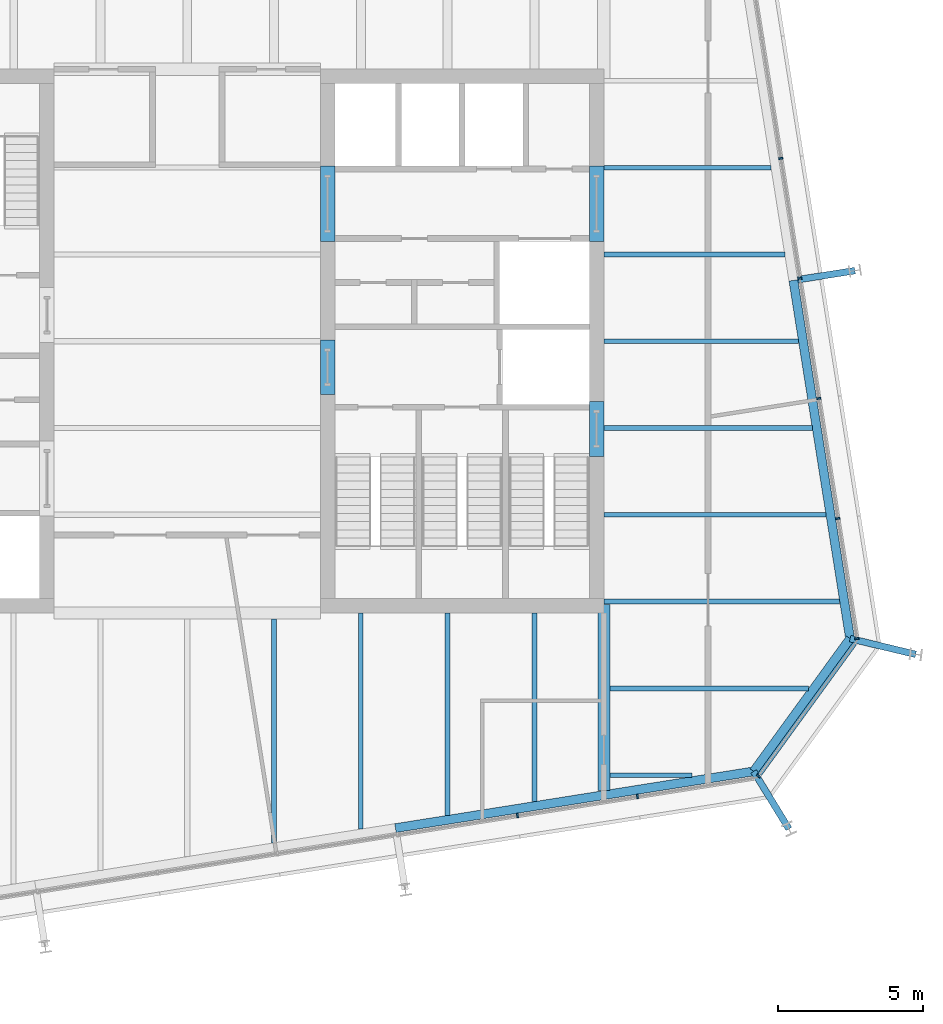
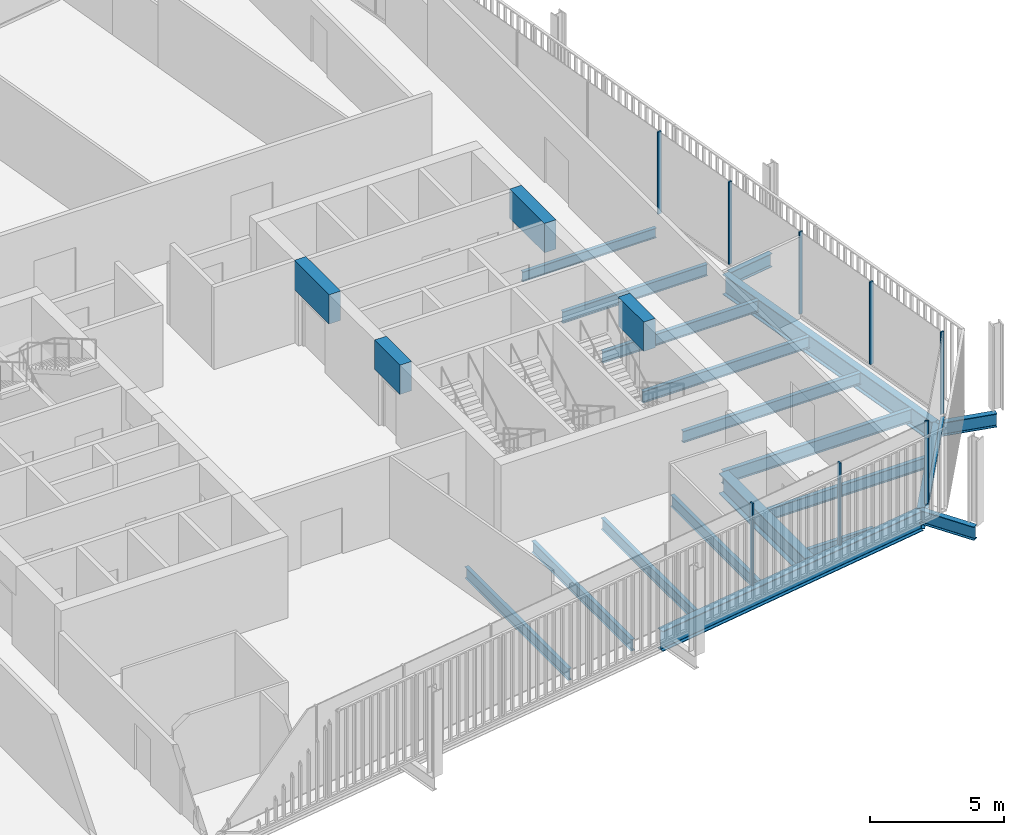
# One storey, part 8 of 20: 23 beams, 9 members, 3 elements without a shape of their own.
"""IFC4 building model written with IfcOpenShell, lengths in metres."""

import ifcopenshell
import ifcopenshell.guid

model = None  # the IFC model being written
_history = None  # IfcOwnerHistory: only IFC2X3 demands one
_inside = {}  # id of a spatial element -> (the spatial element, [elements in it])
_under = {}  # id of a project, library or spatial element -> (it, [spatial elements below it])
_declared = {}  # id of a project -> (the project, [libraries it declares])
_typed = {}  # id of a type object -> (the type object, [elements of that type])
_made_of = {}  # id of a material, layer set ... -> (it, [elements and type objects made of it])


def new_model(schema):
    """Start an empty IFC model of exactly this schema.

    Asked for "IFC4X3", IfcOpenShell would pick the latest addendum, in which some entities
    have other attributes; the version numbers below select the first issue.
    IFC2X3 requires an IfcOwnerHistory on every rooted entity: one is made here for all.
    """
    global model, _history
    if schema == "IFC4X3":
        model = ifcopenshell.file(schema_version=(4, 3, 0, 0))
    else:
        model = ifcopenshell.file(schema=schema)
    _inside.clear()
    _under.clear()
    _declared.clear()
    _typed.clear()
    _made_of.clear()
    _history = None
    if model.schema == "IFC2X3":
        org = make("IfcOrganization", Name="unknown")
        user = make(
            "IfcPersonAndOrganization",
            ThePerson=make("IfcPerson", FamilyName="unknown"),
            TheOrganization=org,
        )
        app = make(
            "IfcApplication",
            ApplicationDeveloper=org,
            Version="unknown",
            ApplicationFullName="unknown",
            ApplicationIdentifier="unknown",
        )
        _history = make(
            "IfcOwnerHistory",
            OwningUser=user,
            OwningApplication=app,
            ChangeAction="ADDED",
            CreationDate=0,
        )
    return model


def make(cls, **values):
    """One entity of the class cls with the attributes given. An attribute that is None is left unset."""
    return model.create_entity(
        cls, **{name: value for name, value in values.items() if value is not None}
    )


def rooted(cls, **values):
    """An entity with a GlobalId (a new one), such as an element, a storey or a relation."""
    return make(cls, GlobalId=ifcopenshell.guid.new(), OwnerHistory=_history, **values)


def si_unit(unit_type, name, prefix=None):
    """IfcSIUnit, for example si_unit("LENGTHUNIT", "METRE", prefix="MILLI")."""
    return make("IfcSIUnit", UnitType=unit_type, Prefix=prefix, Name=name)


def assignment(units):
    """IfcUnitAssignment: the units of a project."""
    return None if units is None else make("IfcUnitAssignment", Units=units)


def point(xyz):
    """IfcCartesianPoint."""
    return None if xyz is None else make("IfcCartesianPoint", Coordinates=xyz)


def direction(xyz):
    """IfcDirection."""
    return None if xyz is None else make("IfcDirection", DirectionRatios=xyz)


def frame(location, z_axis=None, x_axis=None):
    """IfcAxis2Placement3D, a coordinate frame: its origin and axes. An axis left out is left unset."""
    return make(
        "IfcAxis2Placement3D",
        Location=point(location),
        Axis=direction(z_axis),
        RefDirection=direction(x_axis),
    )


def frame_2d(location, x_axis=None):
    """IfcAxis2Placement2D, a coordinate frame in the plane: its origin and x axis."""
    return make(
        "IfcAxis2Placement2D", Location=point(location), RefDirection=direction(x_axis)
    )


def origin():
    """The frame at (0, 0, 0) with its axes left unset."""
    return frame((0.0, 0.0, 0.0))


def origin_2d():
    """The frame at (0, 0) in the plane with its x axis left unset."""
    return frame_2d((0.0, 0.0))


def place(relative_to, where):
    """IfcLocalPlacement: puts the frame where relative to a parent placement (None: the world)."""
    return make(
        "IfcLocalPlacement", PlacementRelTo=relative_to, RelativePlacement=where
    )


def context(
    kind, dimensions, precision=None, world=None, true_north=None, identifier=None
):
    """IfcGeometricRepresentationContext, for example the 3D "Model" context."""
    return make(
        "IfcGeometricRepresentationContext",
        ContextIdentifier=identifier,
        ContextType=kind,
        CoordinateSpaceDimension=dimensions,
        Precision=precision,
        WorldCoordinateSystem=world,
        TrueNorth=true_north,
    )


def subcontext(parent, identifier, kind, view, scale=None):
    """IfcGeometricRepresentationSubContext, for example "Body" below "Model"."""
    return make(
        "IfcGeometricRepresentationSubContext",
        ContextIdentifier=identifier,
        ContextType=kind,
        ParentContext=parent,
        TargetScale=scale,
        TargetView=view,
    )


def project(units=None, contexts=None):
    """IfcProject with its units and contexts."""
    return rooted(
        "IfcProject",
        Name="project",
        RepresentationContexts=contexts,
        UnitsInContext=assignment(units),
    )


def spatial(cls, under=None, at=None, **own):
    """A site, building, storey or space (cls), placed at a placement, below another one or the project."""
    s = rooted(cls, ObjectPlacement=at, **own)
    if under is not None:
        _under.setdefault(under.id(), (under, []))[1].append(s)
    return s


def profile(cls, at=None, kind="AREA", **sizes):
    """A parametric profile (cls). Its sizes go by their IFC names, for example OverallWidth=200.0."""
    return make(cls, ProfileType=kind, Position=at, **sizes)


def rectangle(**sizes):
    """IfcRectangleProfileDef."""
    return profile("IfcRectangleProfileDef", **sizes)


def i_section(**sizes):
    """IfcIShapeProfileDef."""
    return profile("IfcIShapeProfileDef", **sizes)


def extrude(swept, where, along, depth):
    """IfcExtrudedAreaSolid: the profile swept, set in the frame where, extruded along a direction by depth."""
    return make(
        "IfcExtrudedAreaSolid",
        SweptArea=swept,
        Position=where,
        ExtrudedDirection=direction(along),
        Depth=depth,
    )


def shape(context_of_items, identifier, shape_type, items):
    """IfcShapeRepresentation: the items that make up one representation, for example the "Body"."""
    return make(
        "IfcShapeRepresentation",
        ContextOfItems=context_of_items,
        RepresentationIdentifier=identifier,
        RepresentationType=shape_type,
        Items=items,
    )


def material(Name=None, Category=None):
    """IfcMaterial."""
    return make("IfcMaterial", Name=Name, Category=Category)


def layer(
    of_material, thickness, ventilated=None, Name=None, Category=None, Priority=None
):
    """IfcMaterialLayer: one layer of a wall or slab, of a material (None: an air gap)."""
    return make(
        "IfcMaterialLayer",
        Material=of_material,
        LayerThickness=thickness,
        IsVentilated=ventilated,
        Name=Name,
        Category=Category,
        Priority=Priority,
    )


def layer_set(layers, Name=None):
    """IfcMaterialLayerSet."""
    return make("IfcMaterialLayerSet", MaterialLayers=layers, LayerSetName=Name)


def material_profile(
    of_material, cross_section, Name=None, Category=None, Priority=None
):
    """IfcMaterialProfile: a cross section and its material."""
    return make(
        "IfcMaterialProfile",
        Name=Name,
        Material=of_material,
        Profile=cross_section,
        Priority=Priority,
        Category=Category,
    )


def profile_set(profiles, Name=None, composite=None):
    """IfcMaterialProfileSet."""
    return make(
        "IfcMaterialProfileSet",
        Name=Name,
        MaterialProfiles=profiles,
        CompositeProfile=composite,
    )


def made_of(thing, what):
    """Note that an element or type object is made of a material, layer set ...; save() writes the relation."""
    if what is not None:
        _made_of.setdefault(what.id(), (what, []))[1].append(thing)
    return thing


def type_object(cls, material=None, **own):
    """A type object (cls), such as IfcWallType, which elements share."""
    return made_of(rooted(cls, **own), material)


def element(
    cls,
    number,
    at=None,
    inside=None,
    cuts=None,
    type_object=None,
    material=None,
    context=None,
    identifier="Body",
    shape_type=None,
    held_by="IfcProductDefinitionShape",
    body=None,
    shapes=None,
    **own,
):
    """One element of the class cls, such as IfcWall. Its Tag is "e" and its number.

    at: its placement. inside: the storey or other place that contains it. cuts: it is an
    opening in that element (IfcRelVoidsElement). A single representation is given by context,
    identifier, shape_type and body (its items); several are given by shapes. held_by: the class
    of the entity that holds the representations. save() writes the other relations.
    """
    e = rooted(cls, Tag="e%d" % number, ObjectPlacement=at, **own)
    if body is not None:
        shapes = [shape(context, identifier, shape_type, body)]
    if shapes is not None:
        e.Representation = make(held_by, Representations=shapes)
    if inside is not None:
        _inside.setdefault(inside.id(), (inside, []))[1].append(e)
    if cuts is not None:
        rooted(
            "IfcRelVoidsElement", RelatingBuildingElement=cuts, RelatedOpeningElement=e
        )
    if type_object is not None:
        _typed.setdefault(type_object.id(), (type_object, []))[1].append(e)
    return made_of(e, material)


def aggregate(whole, parts):
    """IfcRelAggregates: a whole, such as a stair, and the parts it consists of."""
    return rooted("IfcRelAggregates", RelatingObject=whole, RelatedObjects=parts)


def save(model, path):
    """Write the relations noted so far, then the file.

    IfcRelAggregates (storeys below a building ...), IfcRelContainedInSpatialStructure (elements
    in a storey), IfcRelDefinesByType, IfcRelAssociatesMaterial and IfcRelDeclares: one each for
    every whole, place, type object, material and project.
    """
    for whole, parts in _under.values():
        aggregate(whole, parts)
    for where, things in _inside.values():
        rooted(
            "IfcRelContainedInSpatialStructure",
            RelatedElements=things,
            RelatingStructure=where,
        )
    for kind, things in _typed.values():
        rooted("IfcRelDefinesByType", RelatedObjects=things, RelatingType=kind)
    for what, things in _made_of.values():
        rooted("IfcRelAssociatesMaterial", RelatedObjects=things, RelatingMaterial=what)
    for by, libraries in _declared.values():
        rooted("IfcRelDeclares", RelatingContext=by, RelatedDefinitions=libraries)
    model.write(path)


model = new_model("IFC4")

# Units and contexts
model_context = context("Model", 3, precision=1e-05, world=origin(), true_north=direction((0.0, 1.0)))
body_context = subcontext(model_context, "Body", "Model", "MODEL_VIEW")
ifc_project = project(units=[si_unit("LENGTHUNIT", "METRE"), si_unit("AREAUNIT", "SQUARE_METRE"), si_unit("VOLUMEUNIT", "CUBIC_METRE"), si_unit("PLANEANGLEUNIT", "RADIAN"), si_unit("MASSUNIT", "GRAM", prefix="KILO")], contexts=[model_context])

# Site, building, storey
site_placement = place(None, origin())
site = spatial("IfcSite", under=ifc_project, at=site_placement, CompositionType="ELEMENT")
building_placement = place(site_placement, origin())
building = spatial("IfcBuilding", under=site, at=building_placement, Name="Millrace Tower", CompositionType="ELEMENT")
storey_placement = place(building_placement, frame((0.0, 0.0, 216.39990234375)))
storey = spatial("IfcBuildingStorey", under=building, at=storey_placement, Name="L49", CompositionType="ELEMENT", Elevation=216.39990234375)

# Curtain wall, members
ifc_material_1 = material(Name="Aluminium and glass", Category="aluminium")
ifc_layer = layer(ifc_material_1, 0.14990234375)
ifc_layer_set = layer_set([ifc_layer], Name="Aluminium and glass")
curtain_wall_type = type_object("IfcCurtainWallType", Name="CW-1 office vision curtain wall", PredefinedType="NOTDEFINED", material=ifc_layer_set)
placement = place(storey_placement, origin())
curtain_wall_1 = element("IfcCurtainWall", 1, at=placement, inside=storey, type_object=curtain_wall_type, Name="Curtain wall D-F02 L49", PredefinedType="NOTDEFINED")
ifc_material_2 = material(Name="Aluminium", Category="aluminium")
ifc_material_profile_1 = material_profile(ifc_material_2, rectangle(XDim=0.06494140625, YDim=0.14990234375, at=origin_2d()))
ifc_profile_set_1 = profile_set([ifc_material_profile_1], Name="Aluminium")
member_type_1 = type_object("IfcMemberType", Name="CW-1 office vision curtain wall mullion", PredefinedType="MULLION", material=ifc_profile_set_1)
member_1_placement = place(storey_placement, frame((11.41259765625, -16.393310546875, 0.14013671875), z_axis=(0.0, 0.0, 1.0), x_axis=(0.987688339511, 0.156434471884, 0.0)))
member_1 = element("IfcMember", 2, at=member_1_placement, type_object=member_type_1, Name="CW1 mullion D-F02.8", PredefinedType="MULLION", context=body_context, shape_type="SweptSolid", body=[
    extrude(rectangle(XDim=0.06494140625, YDim=0.14990234375, at=origin_2d()), origin(), (0.0, 0.0, 1.0), 3.760009765625),
])
member_2_placement = place(storey_placement, frame((15.560791015625, -15.736328125, 0.14013671875), z_axis=(0.0, 0.0, 1.0), x_axis=(0.987688339511, 0.156434471884, 0.0)))
member_2 = element("IfcMember", 3, at=member_2_placement, type_object=member_type_1, Name="CW1 mullion D-F02.9", PredefinedType="MULLION", context=body_context, shape_type="SweptSolid", body=[
    extrude(rectangle(XDim=0.06494140625, YDim=0.14990234375, at=origin_2d()), origin(), (0.0, 0.0, 1.0), 3.760009765625),
])
aggregate(curtain_wall_1, [member_1, member_2])

# Curtain wall, member
curtain_wall_2 = element("IfcCurtainWall", 4, at=placement, inside=storey, type_object=curtain_wall_type, Name="Curtain wall D-F03 L49", PredefinedType="NOTDEFINED")
member_3_placement = place(storey_placement, frame((19.7451171875, -15.028076171875, 0.14013671875), z_axis=(0.0, 0.0, 1.0), x_axis=(0.587785305991, 0.809016955361, 0.0)))
member_3 = element("IfcMember", 5, at=member_3_placement, type_object=member_type_1, Name="CW1 mullion D-F03.1", PredefinedType="MULLION", context=body_context, shape_type="SweptSolid", body=[
    extrude(rectangle(XDim=0.06494140625, YDim=0.14990234375, at=origin_2d()), origin(), (0.0, 0.0, 1.0), 3.760009765625),
])

# Curtain wall, members
curtain_wall_3 = element("IfcCurtainWall", 6, at=placement, inside=storey, type_object=curtain_wall_type, Name="Curtain wall D-F04 L49", PredefinedType="NOTDEFINED")
member_4_placement = place(storey_placement, frame((23.142333984375, -10.275390625, 0.14013671875), z_axis=(0.0, 0.0, 1.0), x_axis=(-0.156434471884, 0.987688339511, 0.0)))
member_4 = element("IfcMember", 7, at=member_4_placement, type_object=member_type_1, Name="CW1 mullion D-F04.1", PredefinedType="MULLION", context=body_context, shape_type="SweptSolid", body=[
    extrude(rectangle(XDim=0.06494140625, YDim=0.14990234375, at=origin_2d()), origin(), (0.0, 0.0, 1.0), 3.760009765625),
])
member_5_placement = place(storey_placement, frame((22.4853515625, -6.127197265625, 0.14013671875), z_axis=(0.0, 0.0, 1.0), x_axis=(-0.156434471884, 0.987688339511, 0.0)))
member_5 = element("IfcMember", 8, at=member_5_placement, type_object=member_type_1, Name="CW1 mullion D-F04.2", PredefinedType="MULLION", context=body_context, shape_type="SweptSolid", body=[
    extrude(rectangle(XDim=0.06494140625, YDim=0.14990234375, at=origin_2d()), origin(), (0.0, 0.0, 1.0), 3.760009765625),
])
member_6_placement = place(storey_placement, frame((21.828369140625, -1.97900390625, 0.14013671875), z_axis=(0.0, 0.0, 1.0), x_axis=(-0.156434471884, 0.987688339511, 0.0)))
member_6 = element("IfcMember", 9, at=member_6_placement, type_object=member_type_1, Name="CW1 mullion D-F04.3", PredefinedType="MULLION", context=body_context, shape_type="SweptSolid", body=[
    extrude(rectangle(XDim=0.06494140625, YDim=0.14990234375, at=origin_2d()), origin(), (0.0, 0.0, 1.0), 3.760009765625),
])
member_7_placement = place(storey_placement, frame((21.17138671875, 2.16943359375, 0.14013671875), z_axis=(0.0, 0.0, 1.0), x_axis=(-0.156434471884, 0.987688339511, 0.0)))
member_7 = element("IfcMember", 10, at=member_7_placement, type_object=member_type_1, Name="CW1 mullion D-F04.4", PredefinedType="MULLION", context=body_context, shape_type="SweptSolid", body=[
    extrude(rectangle(XDim=0.06494140625, YDim=0.14990234375, at=origin_2d()), origin(), (0.0, 0.0, 1.0), 3.760009765625),
])
member_8_placement = place(storey_placement, frame((20.514404296875, 6.317626953125, 0.14013671875), z_axis=(0.0, 0.0, 1.0), x_axis=(-0.156434471884, 0.987688339511, 0.0)))
member_8 = element("IfcMember", 11, at=member_8_placement, type_object=member_type_1, Name="CW1 mullion D-F04.5", PredefinedType="MULLION", context=body_context, shape_type="SweptSolid", body=[
    extrude(rectangle(XDim=0.06494140625, YDim=0.14990234375, at=origin_2d()), origin(), (0.0, 0.0, 1.0), 3.760009765625),
])
aggregate(curtain_wall_3, [member_4, member_5, member_6, member_7, member_8])

# Member
ifc_material_3 = material(Name="Aluminium", Category="aluminium")
ifc_material_profile_2 = material_profile(ifc_material_3, rectangle(XDim=0.14990234375, YDim=0.139892578125, at=origin_2d()))
ifc_profile_set_2 = profile_set([ifc_material_profile_2], Name="Aluminium")
member_type_2 = type_object("IfcMemberType", Name="CW-1 office vision curtain wall transom", PredefinedType="USERDEFINED", material=ifc_profile_set_2)
member_9_placement = place(storey_placement, frame((19.78466796875, -14.973388671875, 0.070068359375), z_axis=(0.587811213399, 0.808998131891, 0.0), x_axis=(-0.808998131891, 0.587811213399, 0.0)))
member_9 = element("IfcMember", 12, at=member_9_placement, type_object=member_type_2, Name="CW1 transom D-F03.1", ObjectType="TRANSOM", PredefinedType="USERDEFINED", context=body_context, shape_type="SweptSolid", body=[
    extrude(rectangle(XDim=0.14990234375, YDim=0.139892578125, at=origin_2d()), origin(), (0.0, 0.0, 1.0), 5.598388671875),
])

aggregate(curtain_wall_2, [member_3, member_9])

# Beams
ifc_material_4 = material(Name="Concrete C60", Category="concrete")
ifc_material_profile_3 = material_profile(ifc_material_4, rectangle(XDim=0.5, YDim=1.340087890625, at=origin_2d()))
ifc_profile_set_3 = profile_set([ifc_material_profile_3], Name="Concrete C60")
beam_type_1 = type_object("IfcBeamType", Name="Coupling beam 500 x 1340 Concrete C60, 1300 opening", PredefinedType="BEAM", material=ifc_profile_set_3)
beam_1_placement = place(storey_placement, frame((14.14990234375, -2.080078125, 3.070068359375), z_axis=(0.0, -1.0, 0.0), x_axis=(1.0, 0.0, 0.0)))
element("IfcBeam", 13, at=beam_1_placement, inside=storey, type_object=beam_type_1, Name="Coupling beam E L49", PredefinedType="BEAM", context=body_context, shape_type="SweptSolid", body=[
    extrude(rectangle(XDim=0.5, YDim=1.340087890625, at=origin_2d()), origin(), (0.0, 0.0, 1.0), 1.89990234375),
])
beam_2_placement = place(storey_placement, frame((4.85009765625, 0.050048828125, 3.070068359375), z_axis=(0.0, -1.0, 0.0), x_axis=(1.0, 0.0, 0.0)))
element("IfcBeam", 14, at=beam_2_placement, inside=storey, type_object=beam_type_1, Name="Coupling beam E L49", PredefinedType="BEAM", context=body_context, shape_type="SweptSolid", body=[
    extrude(rectangle(XDim=0.5, YDim=1.340087890625, at=origin_2d()), origin(), (0.0, 0.0, 1.0), 1.900146484375),
])
ifc_material_5 = material(Name="Concrete C60", Category="concrete")
ifc_material_profile_4 = material_profile(ifc_material_5, rectangle(XDim=0.5, YDim=1.340087890625, at=origin_2d()))
ifc_profile_set_4 = profile_set([ifc_material_profile_4], Name="Concrete C60")
beam_type_2 = type_object("IfcBeamType", Name="Coupling beam 500 x 1340 Concrete C60, 2000 opening", PredefinedType="BEAM", material=ifc_profile_set_4)
for number, where, z_axis, x_axis, name in (
    (15, (14.14990234375, 6.050048828125, 3.070068359375), (0.0, -1.0, 0.0), (1.0, 0.0, 0.0), "Coupling beam E L49"),
    (16, (4.85009765625, 6.050048828125, 3.070068359375), (0.0, -1.0, 0.0), (1.0, 0.0, 0.0), "Coupling beam E L49"),
):
    element("IfcBeam", number, at=place(storey_placement, frame(where, z_axis=z_axis, x_axis=x_axis)), inside=storey, type_object=beam_type_2, Name=name, PredefinedType="BEAM", context=body_context, shape_type="SweptSolid", body=[
        extrude(rectangle(XDim=0.5, YDim=1.340087890625, at=origin_2d()), origin(), (0.0, 0.0, 1.0), 2.60009765625),
    ])
ifc_material_6 = material(Name="Steel ASTM A992 Grade 50", Category="steel")
ifc_material_profile_5 = material_profile(ifc_material_6, i_section(OverallWidth=0.15234375, OverallDepth=0.449462890625, WebThickness=0.007568359375, FlangeThickness=0.0107421875, FilletRadius=0.01025390625, at=origin_2d()))
ifc_profile_set_5 = profile_set([ifc_material_profile_5], Name="Steel ASTM A992 Grade 50")
beam_type_3 = type_object("IfcBeamType", Name="Floor beam W18x35", PredefinedType="JOIST", material=ifc_profile_set_5)
beam_3_placement = place(storey_placement, frame((14.39990234375, 6.0, -0.384765625), z_axis=(1.0, 0.0, 0.0), x_axis=(0.0, 1.0, 0.0)))
element("IfcBeam", 17, at=beam_3_placement, inside=storey, type_object=beam_type_3, Name="BM-D-L49-S1-S022", PredefinedType="JOIST", context=body_context, shape_type="SweptSolid", body=[
    extrude(i_section(OverallWidth=0.15234375, OverallDepth=0.449462890625, WebThickness=0.007568359375, FlangeThickness=0.0107421875, FilletRadius=0.01025390625, at=origin_2d()), origin(), (0.0, 0.0, 1.0), 5.777587890625),
])
beam_4_placement = place(storey_placement, frame((14.609619140625, -15.0, -0.384765625), z_axis=(1.0, 0.0, 0.0), x_axis=(0.0, 1.0, 0.0)))
element("IfcBeam", 18, at=beam_4_placement, inside=storey, type_object=beam_type_3, Name="BM-D-L49-S1-S003", PredefinedType="JOIST", context=body_context, shape_type="SweptSolid", body=[
    extrude(i_section(OverallWidth=0.15234375, OverallDepth=0.449462890625, WebThickness=0.007568359375, FlangeThickness=0.0107421875, FilletRadius=0.01025390625, at=origin_2d()), origin(), (0.0, 0.0, 1.0), 2.839599609375),
])
ifc_material_7 = material(Name="Steel ASTM A992 Grade 50", Category="steel")
ifc_material_profile_6 = material_profile(ifc_material_7, i_section(OverallWidth=0.1650390625, OverallDepth=0.52587890625, WebThickness=0.0087890625, FlangeThickness=0.011474609375, FilletRadius=0.0126953125, at=origin_2d()))
ifc_profile_set_6 = profile_set([ifc_material_profile_6], Name="Steel ASTM A992 Grade 50")
beam_type_4 = type_object("IfcBeamType", Name="Floor beam W21x44", PredefinedType="JOIST", material=ifc_profile_set_6)
beam_5_placement = place(storey_placement, frame((14.609619140625, -12.0, -0.4228515625), z_axis=(1.0, 0.0, 0.0), x_axis=(0.0, 1.0, 0.0)))
element("IfcBeam", 19, at=beam_5_placement, inside=storey, type_object=beam_type_4, Name="BM-D-L49-S1-S005", PredefinedType="JOIST", context=body_context, shape_type="SweptSolid", body=[
    extrude(i_section(OverallWidth=0.1650390625, OverallDepth=0.52587890625, WebThickness=0.0087890625, FlangeThickness=0.011474609375, FilletRadius=0.0126953125, at=origin_2d()), origin(), (0.0, 0.0, 1.0), 6.86279296875),
])
beam_6_placement = place(storey_placement, frame((14.39990234375, -6.0, -0.4228515625), z_axis=(1.0, 0.0, 0.0), x_axis=(0.0, 1.0, 0.0)))
element("IfcBeam", 20, at=beam_6_placement, inside=storey, type_object=beam_type_4, Name="BM-D-L49-S1-S010", PredefinedType="JOIST", context=body_context, shape_type="SweptSolid", body=[
    extrude(i_section(OverallWidth=0.1650390625, OverallDepth=0.52587890625, WebThickness=0.0087890625, FlangeThickness=0.011474609375, FilletRadius=0.0126953125, at=origin_2d()), origin(), (0.0, 0.0, 1.0), 7.67822265625),
])
beam_7_placement = place(storey_placement, frame((14.39990234375, -3.0, -0.4228515625), z_axis=(1.0, 0.0, 0.0), x_axis=(0.0, 1.0, 0.0)))
element("IfcBeam", 21, at=beam_7_placement, inside=storey, type_object=beam_type_4, Name="BM-D-L49-S1-S013", PredefinedType="JOIST", context=body_context, shape_type="SweptSolid", body=[
    extrude(i_section(OverallWidth=0.1650390625, OverallDepth=0.52587890625, WebThickness=0.0087890625, FlangeThickness=0.011474609375, FilletRadius=0.0126953125, at=origin_2d()), origin(), (0.0, 0.0, 1.0), 7.203125),
])
beam_8_placement = place(storey_placement, frame((14.39990234375, 0.0, -0.4228515625), z_axis=(1.0, 0.0, 0.0), x_axis=(0.0, 1.0, 0.0)))
element("IfcBeam", 22, at=beam_8_placement, inside=storey, type_object=beam_type_4, Name="BM-D-L49-S1-S016", PredefinedType="JOIST", context=body_context, shape_type="SweptSolid", body=[
    extrude(i_section(OverallWidth=0.1650390625, OverallDepth=0.52587890625, WebThickness=0.0087890625, FlangeThickness=0.011474609375, FilletRadius=0.0126953125, at=origin_2d()), origin(), (0.0, 0.0, 1.0), 6.72802734375),
])
beam_9_placement = place(storey_placement, frame((14.39990234375, 3.0, -0.4228515625), z_axis=(1.0, 0.0, 0.0), x_axis=(0.0, 1.0, 0.0)))
element("IfcBeam", 23, at=beam_9_placement, inside=storey, type_object=beam_type_4, Name="BM-D-L49-S1-S019", PredefinedType="JOIST", context=body_context, shape_type="SweptSolid", body=[
    extrude(i_section(OverallWidth=0.1650390625, OverallDepth=0.52587890625, WebThickness=0.0087890625, FlangeThickness=0.011474609375, FilletRadius=0.0126953125, at=origin_2d()), origin(), (0.0, 0.0, 1.0), 6.252685546875),
])
beam_10_placement = place(storey_placement, frame((3.0, -17.338623046875, -0.4228515625), z_axis=(0.0, 1.0, 0.0), x_axis=(-1.0, 0.0, 0.0)))
element("IfcBeam", 24, at=beam_10_placement, inside=storey, type_object=beam_type_4, Name="BM-D-L49-S1-S047", PredefinedType="JOIST", context=body_context, shape_type="SweptSolid", body=[
    extrude(i_section(OverallWidth=0.1650390625, OverallDepth=0.52587890625, WebThickness=0.0087890625, FlangeThickness=0.011474609375, FilletRadius=0.0126953125, at=origin_2d()), origin(), (0.0, 0.0, 1.0), 7.72900390625),
])
beam_11_placement = place(storey_placement, frame((6.0, -16.863525390625, -0.4228515625), z_axis=(0.0, 1.0, 0.0), x_axis=(-1.0, 0.0, 0.0)))
element("IfcBeam", 25, at=beam_11_placement, inside=storey, type_object=beam_type_4, Name="BM-D-L49-S1-S049", PredefinedType="JOIST", context=body_context, shape_type="SweptSolid", body=[
    extrude(i_section(OverallWidth=0.1650390625, OverallDepth=0.52587890625, WebThickness=0.0087890625, FlangeThickness=0.011474609375, FilletRadius=0.0126953125, at=origin_2d()), origin(), (0.0, 0.0, 1.0), 7.463623046875),
])
beam_12_placement = place(storey_placement, frame((9.0, -16.38818359375, -0.4228515625), z_axis=(0.0, 1.0, 0.0), x_axis=(-1.0, 0.0, 0.0)))
element("IfcBeam", 26, at=beam_12_placement, inside=storey, type_object=beam_type_4, Name="BM-D-L49-S1-S051", PredefinedType="JOIST", context=body_context, shape_type="SweptSolid", body=[
    extrude(i_section(OverallWidth=0.1650390625, OverallDepth=0.52587890625, WebThickness=0.0087890625, FlangeThickness=0.011474609375, FilletRadius=0.0126953125, at=origin_2d()), origin(), (0.0, 0.0, 1.0), 6.98828125),
])
beam_13_placement = place(storey_placement, frame((12.0, -15.9130859375, -0.4228515625), z_axis=(0.0, 1.0, 0.0), x_axis=(-1.0, 0.0, 0.0)))
element("IfcBeam", 27, at=beam_13_placement, inside=storey, type_object=beam_type_4, Name="BM-D-L49-S1-S053", PredefinedType="JOIST", context=body_context, shape_type="SweptSolid", body=[
    extrude(i_section(OverallWidth=0.1650390625, OverallDepth=0.52587890625, WebThickness=0.0087890625, FlangeThickness=0.011474609375, FilletRadius=0.0126953125, at=origin_2d()), origin(), (0.0, 0.0, 1.0), 6.51318359375),
])
ifc_material_8 = material(Name="Steel ASTM A992 Grade 50", Category="steel")
ifc_material_profile_7 = material_profile(ifc_material_8, i_section(OverallWidth=0.177978515625, OverallDepth=0.599365234375, WebThickness=0.010009765625, FlangeThickness=0.012939453125, FilletRadius=0.012939453125, at=origin_2d()))
ifc_profile_set_7 = profile_set([ifc_material_profile_7], Name="Steel ASTM A992 Grade 50")
beam_type_5 = type_object("IfcBeamType", Name="Floor beam W24x55", PredefinedType="JOIST", material=ifc_profile_set_7)
beam_14_placement = place(storey_placement, frame((14.39990234375, -9.0, -0.459716796875), z_axis=(1.0, 0.0, 0.0), x_axis=(0.0, 1.0, 0.0)))
element("IfcBeam", 28, at=beam_14_placement, inside=storey, type_object=beam_type_5, Name="BM-D-L49-S1-S007", PredefinedType="JOIST", context=body_context, shape_type="SweptSolid", body=[
    extrude(i_section(OverallWidth=0.177978515625, OverallDepth=0.599365234375, WebThickness=0.010009765625, FlangeThickness=0.012939453125, FilletRadius=0.012939453125, at=origin_2d()), origin(), (0.0, 0.0, 1.0), 8.1533203125),
])
ifc_material_9 = material(Name="Steel ASTM A992 Grade 50", Category="steel")
ifc_material_profile_8 = material_profile(ifc_material_9, i_section(OverallWidth=0.419189453125, OverallDepth=0.927001953125, WebThickness=0.019287109375, FlangeThickness=0.031982421875, FilletRadius=0.024169921875, at=origin_2d()))
ifc_profile_set_8 = profile_set([ifc_material_profile_8], Name="Steel ASTM A992 Grade 50")
beam_type_6 = type_object("IfcBeamType", Name="Girder short span W36x231", PredefinedType="BEAM", material=ifc_profile_set_8)
beam_15_placement = place(storey_placement, frame((14.39990234375, -15.52490234375, -0.62353515625), z_axis=(0.0, 1.0, 0.0), x_axis=(-1.0, 0.0, 0.0)))
element("IfcBeam", 29, at=beam_15_placement, inside=storey, type_object=beam_type_6, Name="BM-D-L49-S1-G057", PredefinedType="BEAM", context=body_context, shape_type="SweptSolid", body=[
    extrude(i_section(OverallWidth=0.419189453125, OverallDepth=0.927001953125, WebThickness=0.019287109375, FlangeThickness=0.031982421875, FilletRadius=0.024169921875, at=origin_2d()), origin(), (0.0, 0.0, 1.0), 6.432861328125),
])
ifc_material_10 = material(Name="Steel ASTM A992 Grade 50", Category="steel")
ifc_material_profile_9 = material_profile(ifc_material_10, i_section(OverallWidth=0.23046875, OverallDepth=0.6171875, WebThickness=0.01318359375, FlangeThickness=0.022216796875, FilletRadius=0.012939453125, at=origin_2d()))
ifc_profile_set_9 = profile_set([ifc_material_profile_9], Name="Steel ASTM A992 Grade 50")
beam_type_7 = type_object("IfcBeamType", Name="Link beam W24x94", PredefinedType="BEAM", material=ifc_profile_set_9)
beam_16_placement = place(storey_placement, frame((21.102294921875, 2.12548828125, -0.468505859375), z_axis=(0.987678691416, 0.156495375404, 0.0), x_axis=(-0.156495375404, 0.987678691416, 0.0)))
element("IfcBeam", 30, at=beam_16_placement, inside=storey, type_object=beam_type_7, Name="LNK-D-L49-S1-11", PredefinedType="BEAM", context=body_context, shape_type="SweptSolid", body=[
    extrude(i_section(OverallWidth=0.23046875, OverallDepth=0.6171875, WebThickness=0.01318359375, FlangeThickness=0.022216796875, FilletRadius=0.012939453125, at=origin_2d()), origin(), (0.0, 0.0, 1.0), 2.0),
])
beam_17_placement = place(storey_placement, frame((22.91162109375, -10.280517578125, -0.468505859375), z_axis=(0.972373041068, -0.233432364948, 0.0), x_axis=(0.233432364948, 0.972373041068, 0.0)))
element("IfcBeam", 31, at=beam_17_placement, inside=storey, type_object=beam_type_7, Name="LNK-D-L49-S1-12", PredefinedType="BEAM", context=body_context, shape_type="SweptSolid", body=[
    extrude(i_section(OverallWidth=0.23046875, OverallDepth=0.6171875, WebThickness=0.01318359375, FlangeThickness=0.022216796875, FilletRadius=0.012939453125, at=origin_2d()), origin(), (0.0, 0.0, 1.0), 2.331298828125),
])
beam_18_placement = place(storey_placement, frame((19.578369140625, -14.868408203125, -0.468505859375), z_axis=(0.522512938711, -0.852631355792, 0.0), x_axis=(0.852631355792, 0.522512938711, 0.0)))
element("IfcBeam", 32, at=beam_18_placement, inside=storey, type_object=beam_type_7, Name="LNK-D-L49-S1-13", PredefinedType="BEAM", context=body_context, shape_type="SweptSolid", body=[
    extrude(i_section(OverallWidth=0.23046875, OverallDepth=0.6171875, WebThickness=0.01318359375, FlangeThickness=0.022216796875, FilletRadius=0.012939453125, at=origin_2d()), origin(), (0.0, 0.0, 1.0), 2.3310546875),
])
ifc_material_11 = material(Name="Steel ASTM A992 Grade 50", Category="steel")
ifc_material_profile_10 = material_profile(ifc_material_11, i_section(OverallWidth=0.307373046875, OverallDepth=0.927001953125, WebThickness=0.01953125, FlangeThickness=0.031982421875, FilletRadius=0.01904296875, at=origin_2d()))
ifc_profile_set_10 = profile_set([ifc_material_profile_10], Name="Steel ASTM A992 Grade 50")
beam_type_8 = type_object("IfcBeamType", Name="Ring beam medium span W36x194", PredefinedType="SPANDREL", material=ifc_profile_set_10)
for number, where, z_axis, x_axis, name in (
    (33, (20.95068359375, 2.1015625, -0.62353515625), (0.156419577072, -0.987690698503, 0.0), (0.987690698503, 0.156419577072, 0.0), "RNG-D-L49-S1-11"),
    (34, (19.578369140625, -14.868408203125, -0.62353515625), (-0.987687689625, -0.156438575049, 0.0), (0.156438575049, -0.987687689625, 0.0), "RNG-D-L49-S1-13"),
):
    element("IfcBeam", number, at=place(storey_placement, frame(where, z_axis=z_axis, x_axis=x_axis)), inside=storey, type_object=beam_type_8, Name=name, PredefinedType="SPANDREL", context=body_context, shape_type="SweptSolid", body=[
        extrude(i_section(OverallWidth=0.307373046875, OverallDepth=0.927001953125, WebThickness=0.01953125, FlangeThickness=0.031982421875, FilletRadius=0.01904296875, at=origin_2d()), origin(), (0.0, 0.0, 1.0), 12.536376953125),
    ])
ifc_material_12 = material(Name="Steel ASTM A992 Grade 50", Category="steel")
ifc_material_profile_11 = material_profile(ifc_material_12, i_section(OverallWidth=0.307373046875, OverallDepth=0.927001953125, WebThickness=0.01953125, FlangeThickness=0.031982421875, FilletRadius=0.01904296875, at=origin_2d()))
ifc_profile_set_11 = profile_set([ifc_material_profile_11], Name="Steel ASTM A992 Grade 50")
beam_type_9 = type_object("IfcBeamType", Name="Ring beam short span W36x194", PredefinedType="SPANDREL", material=ifc_profile_set_11)
beam_19_placement = place(storey_placement, frame((22.91162109375, -10.280517578125, -0.62353515625), z_axis=(-0.587779977844, -0.80902082646, 0.0), x_axis=(0.80902082646, -0.587779977844, 0.0)))
element("IfcBeam", 35, at=beam_19_placement, inside=storey, type_object=beam_type_9, Name="RNG-D-L49-S1-12", PredefinedType="SPANDREL", context=body_context, shape_type="SweptSolid", body=[
    extrude(i_section(OverallWidth=0.307373046875, OverallDepth=0.927001953125, WebThickness=0.01953125, FlangeThickness=0.031982421875, FilletRadius=0.01904296875, at=origin_2d()), origin(), (0.0, 0.0, 1.0), 5.6708984375),
])

save(model, "model.ifc")
